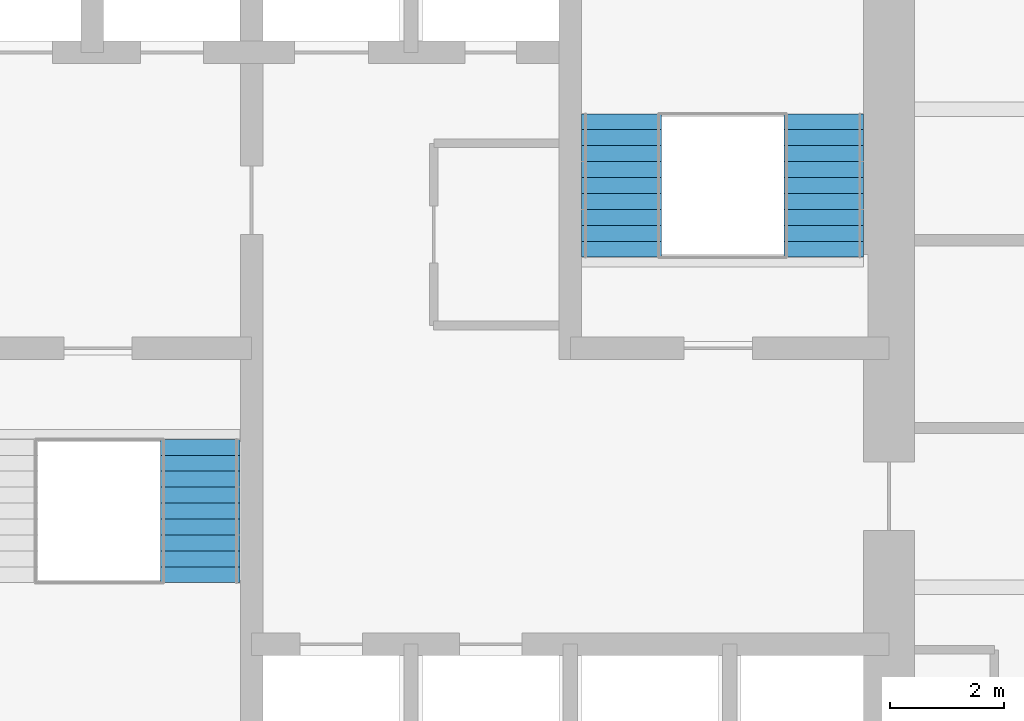
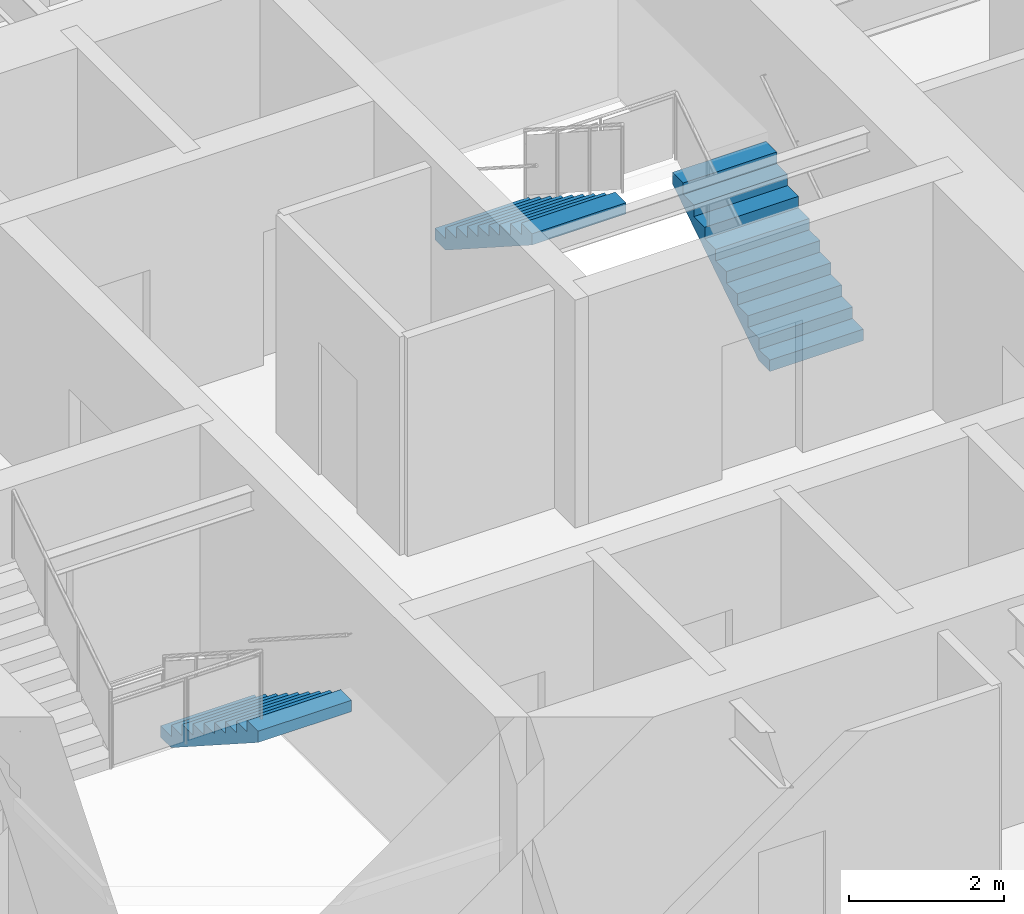
# One storey, part 13 of 15: 3 stair flights, 2 elements without a shape of their own.
"""IFC4 building model written with IfcOpenShell, lengths in metres."""

from ifc_helpers import new_model, si_unit, direction, frame, origin, place, context, subcontext, project, spatial, polyline, outline, extrude, material, type_object, element, aggregate, save


model = new_model("IFC4")

# Units and contexts
model_context = context("Model", 3, precision=1e-05, world=origin(), true_north=direction((0.0, 1.0)))
body_context = subcontext(model_context, "Body", "Model", "MODEL_VIEW")
ifc_project = project(units=[si_unit("LENGTHUNIT", "METRE"), si_unit("AREAUNIT", "SQUARE_METRE"), si_unit("VOLUMEUNIT", "CUBIC_METRE"), si_unit("PLANEANGLEUNIT", "RADIAN"), si_unit("MASSUNIT", "GRAM", prefix="KILO")], contexts=[model_context])

# Site, building, storey
site_placement = place(None, origin())
site = spatial("IfcSite", under=ifc_project, at=site_placement, CompositionType="ELEMENT")
building_placement = place(site_placement, origin())
building = spatial("IfcBuilding", under=site, at=building_placement, Name="Torre Alcanfor", CompositionType="ELEMENT")
storey_placement = place(building_placement, frame((0.0, 0.0, 144.89990234375)))
storey = spatial("IfcBuildingStorey", under=building, at=storey_placement, Name="L37", CompositionType="ELEMENT", Elevation=144.89990234375)

# Stair, stair flight
ifc_material_1 = material(Name="Concrete f'c 35 MPa", Category="concrete")
stair_type_1 = type_object("IfcStairType", Name="Exit stair S1 1400 wide", PredefinedType="HALF_TURN_STAIR", material=ifc_material_1)
stair_1_placement = place(storey_placement, origin())
stair_1 = element("IfcStair", 1, at=stair_1_placement, inside=storey, type_object=stair_type_1, Name="Stair S1 L37 to L38", PredefinedType="HALF_TURN_STAIR")
ifc_material_2 = material(Name="Concrete f'c 35 MPa", Category="concrete")
stair_flight_type = type_object("IfcStairFlightType", Name="Stair flight 1400", PredefinedType="STRAIGHT", material=ifc_material_2)
stair_flight_1_placement = place(storey_placement, frame((25.699951171875, 27.800048828125, 0.0), z_axis=(0.0, 0.0, 1.0), x_axis=(0.0, -1.0, 0.0)))
stair_flight_1 = element("IfcStairFlight", 2, at=stair_flight_1_placement, type_object=stair_flight_type, Name="S1 flight 1", NumberOfRisers=10, NumberOfTreads=9, PredefinedType="STRAIGHT", RiserHeight=0.18, TreadLength=0.28, context=body_context, shape_type="SweptSolid", body=[
    extrude(outline(polyline([(0.0, 0.0), (0.0, 0.179931640625), (0.280029296875, 0.179931640625), (0.280029296875, 0.360107421875), (0.56005859375, 0.360107421875), (0.56005859375, 0.5400390625), (0.840087890625, 0.5400390625), (0.840087890625, 0.719970703125), (1.1201171875, 0.719970703125), (1.1201171875, 0.89990234375), (1.39990234375, 0.89990234375), (1.39990234375, 1.080078125), (1.679931640625, 1.080078125), (1.679931640625, 1.260009765625), (1.9599609375, 1.260009765625), (1.9599609375, 1.43994140625), (2.239990234375, 1.43994140625), (2.239990234375, 1.6201171875), (2.52001953125, 1.6201171875), (2.52001953125, 1.800048828125), (2.52001953125, 1.44189453125), (0.277099609375, 0.0), (0.0, 0.0)])), frame((0.0, 0.699951171875, 0.0), z_axis=(0.0, -1.0, 0.0), x_axis=(1.0, 0.0, 0.0)), (0.0, 0.0, 1.0), 1.39990234375),
])
aggregate(stair_1, [stair_flight_1])

# Stair, stair flights
ifc_material_3 = material(Name="Concrete f'c 35 MPa", Category="concrete")
stair_type_2 = type_object("IfcStairType", Name="Exit stair S2 1400 wide", PredefinedType="HALF_TURN_STAIR", material=ifc_material_3)
stair_2_placement = place(storey_placement, origin())
stair_2 = element("IfcStair", 3, at=stair_2_placement, inside=storey, type_object=stair_type_2, Name="Stair S2 L37 to L38", PredefinedType="HALF_TURN_STAIR")
stair_flight_2_placement = place(storey_placement, frame((36.64990234375, 31.0, 0.0), z_axis=(0.0, 0.0, 1.0), x_axis=(0.0, 1.0, 0.0)))
stair_flight_2 = element("IfcStairFlight", 4, at=stair_flight_2_placement, type_object=stair_flight_type, Name="S2 flight 1", NumberOfRisers=10, NumberOfTreads=9, PredefinedType="STRAIGHT", RiserHeight=0.18, TreadLength=0.28, context=body_context, shape_type="SweptSolid", body=[
    extrude(outline(polyline([(0.0, 0.0), (0.0, 0.179931640625), (0.280029296875, 0.179931640625), (0.280029296875, 0.360107421875), (0.56005859375, 0.360107421875), (0.56005859375, 0.5400390625), (0.840087890625, 0.5400390625), (0.840087890625, 0.719970703125), (1.1201171875, 0.719970703125), (1.1201171875, 0.89990234375), (1.39990234375, 0.89990234375), (1.39990234375, 1.080078125), (1.679931640625, 1.080078125), (1.679931640625, 1.260009765625), (1.9599609375, 1.260009765625), (1.9599609375, 1.43994140625), (2.239990234375, 1.43994140625), (2.239990234375, 1.6201171875), (2.52001953125, 1.6201171875), (2.52001953125, 1.800048828125), (2.52001953125, 1.44189453125), (0.277099609375, 0.0), (0.0, 0.0)])), frame((0.0, 0.699951171875, 0.0), z_axis=(0.0, -1.0, 0.0), x_axis=(1.0, 0.0, 0.0)), (0.0, 0.0, 1.0), 1.39990234375),
])
stair_flight_3_placement = place(storey_placement, frame((33.10009765625, 33.52001953125, 1.800048828125), z_axis=(0.0, 0.0, 1.0), x_axis=(0.0, -1.0, 0.0)))
stair_flight_3 = element("IfcStairFlight", 5, at=stair_flight_3_placement, type_object=stair_flight_type, Name="S2 flight 2", NumberOfRisers=10, NumberOfTreads=9, PredefinedType="STRAIGHT", RiserHeight=0.18, TreadLength=0.28, context=body_context, shape_type="SweptSolid", body=[
    extrude(outline(polyline([(0.0, 0.0), (0.0, 0.179931640625), (0.280029296875, 0.179931640625), (0.280029296875, 0.360107421875), (0.56005859375, 0.360107421875), (0.56005859375, 0.5400390625), (0.840087890625, 0.5400390625), (0.840087890625, 0.719970703125), (1.1201171875, 0.719970703125), (1.1201171875, 0.89990234375), (1.39990234375, 0.89990234375), (1.39990234375, 1.080078125), (1.679931640625, 1.080078125), (1.679931640625, 1.260009765625), (1.9599609375, 1.260009765625), (1.9599609375, 1.43994140625), (2.239990234375, 1.43994140625), (2.239990234375, 1.6201171875), (2.52001953125, 1.6201171875), (2.52001953125, 1.800048828125), (2.52001953125, 1.44189453125), (0.277099609375, 0.0), (0.0, 0.0)])), frame((0.0, 0.699951171875, 0.0), z_axis=(0.0, -1.0, 0.0), x_axis=(1.0, 0.0, 0.0)), (0.0, 0.0, 1.0), 1.39990234375),
])
aggregate(stair_2, [stair_flight_2, stair_flight_3])

save(model, "model.ifc")
